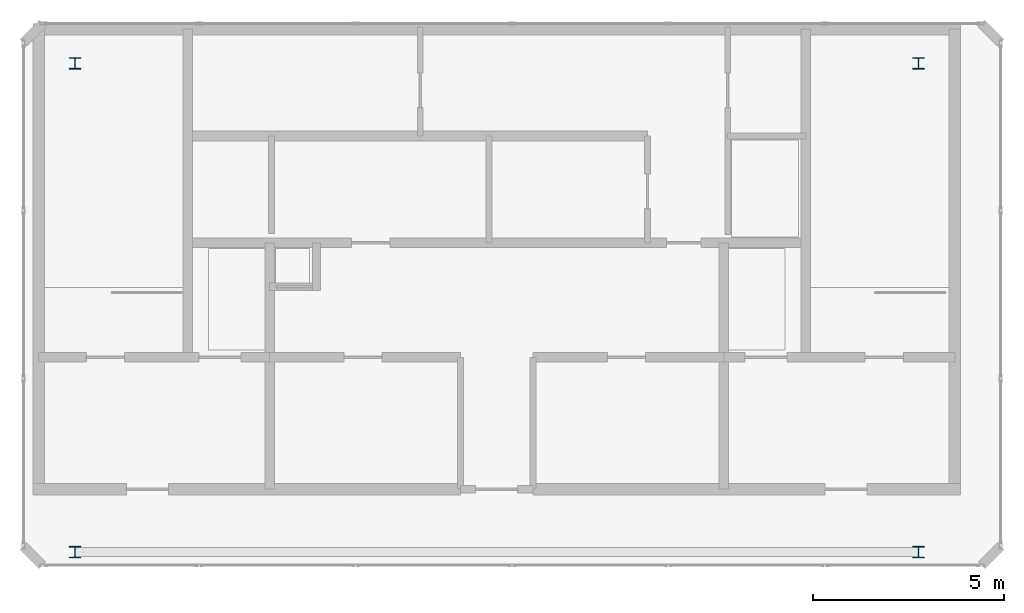
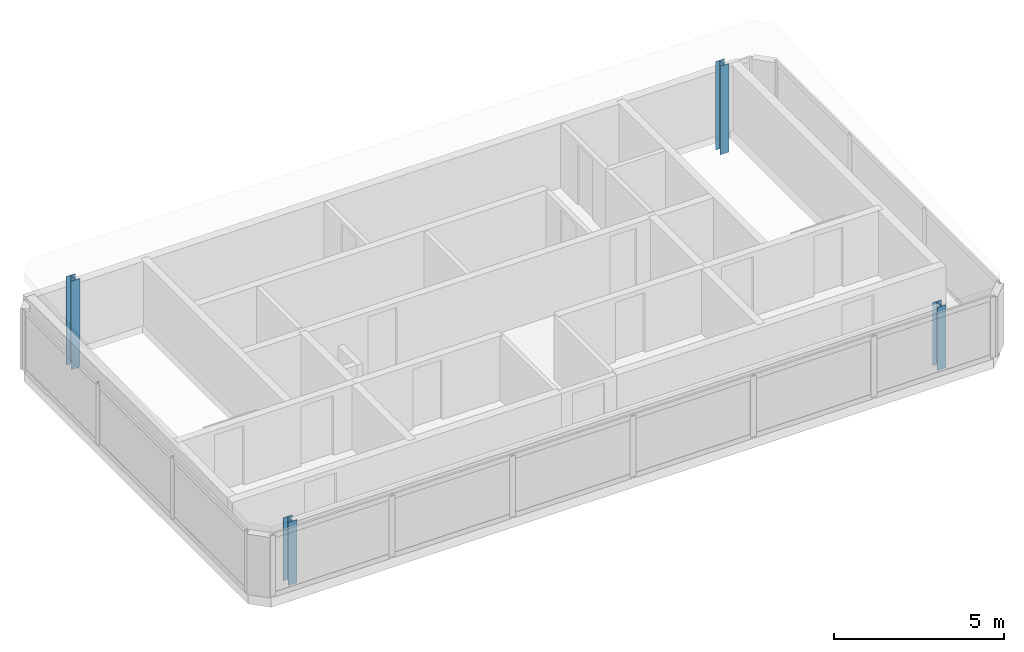
# One storey, part 1 of 9: 4 columns.
"""IFC4 building model written with IfcOpenShell, lengths in metres."""

from ifc_helpers import new_model, si_unit, direction, frame, origin, origin_2d, place, context, subcontext, project, spatial, i_section, extrude, material, material_profile, profile_set, type_object, element, save


model = new_model("IFC4")

# Units and contexts
model_context = context("Model", 3, precision=1e-05, world=origin(), true_north=direction((0.0, 1.0)))
body_context = subcontext(model_context, "Body", "Model", "MODEL_VIEW")
ifc_project = project(units=[si_unit("LENGTHUNIT", "METRE"), si_unit("AREAUNIT", "SQUARE_METRE"), si_unit("VOLUMEUNIT", "CUBIC_METRE"), si_unit("PLANEANGLEUNIT", "RADIAN"), si_unit("MASSUNIT", "GRAM", prefix="KILO")], contexts=[model_context])

# Site, building, storey
site_placement = place(None, origin())
site = spatial("IfcSite", under=ifc_project, at=site_placement, CompositionType="ELEMENT")
building_placement = place(site_placement, origin())
building = spatial("IfcBuilding", under=site, at=building_placement, Name="Catumbela Crestline Tower", CompositionType="ELEMENT")
storey_placement = place(building_placement, frame((0.0, 0.0, 318.5)))
storey = spatial("IfcBuildingStorey", under=building, at=storey_placement, Name="L82", CompositionType="ELEMENT", Elevation=318.5)

# Columns
ifc_material = material(Name="Structural steel S355J2", Category="steel")
ifc_material_profile = material_profile(ifc_material, i_section(OverallWidth=0.3, OverallDepth=0.3, WebThickness=0.011, FlangeThickness=0.019, FilletRadius=0.027, at=origin_2d()), Name="HEB 300")
ifc_profile_set = profile_set([ifc_material_profile], Name="Structural steel S355J2")
column_type = type_object("IfcColumnType", Name="C-ST-HEB300", PredefinedType="COLUMN", material=ifc_profile_set)
for number, where, z_axis, x_axis, name in (
    (1, (16.95, 29.15, 0.0), (0.0, 0.0, 1.0), (1.0, 0.0, 0.0), "L82 Belvedere Lantern Corner Column C-L82-SW"),
    (2, (39.05, 29.15, 0.0), (0.0, 0.0, 1.0), (1.0, 0.0, 0.0), "L82 Belvedere Lantern Corner Column C-L82-SE"),
):
    element("IfcColumn", number, at=place(storey_placement, frame(where, z_axis=z_axis, x_axis=x_axis)), inside=storey, type_object=column_type, Name=name, PredefinedType="COLUMN", context=body_context, shape_type="SweptSolid", body=[
        extrude(i_section(OverallWidth=0.3, OverallDepth=0.3, WebThickness=0.011, FlangeThickness=0.019, FilletRadius=0.027, at=origin_2d()), origin(), (0.0, 0.0, 1.0), 2.265),
    ])
for number, where, z_axis, x_axis, name in (
    (3, (16.95, 41.95, 0.0), (0.0, 0.0, 1.0), (1.0, 0.0, 0.0), "L82 Belvedere Lantern Corner Column C-L82-NW"),
    (4, (39.05, 41.95, 0.0), (0.0, 0.0, 1.0), (1.0, 0.0, 0.0), "L82 Belvedere Lantern Corner Column C-L82-NE"),
):
    element("IfcColumn", number, at=place(storey_placement, frame(where, z_axis=z_axis, x_axis=x_axis)), inside=storey, type_object=column_type, Name=name, PredefinedType="COLUMN", context=body_context, shape_type="SweptSolid", body=[
        extrude(i_section(OverallWidth=0.3, OverallDepth=0.3, WebThickness=0.011, FlangeThickness=0.019, FilletRadius=0.027, at=origin_2d()), origin(), (0.0, 0.0, 1.0), 3.185),
    ])

save(model, "model.ifc")
